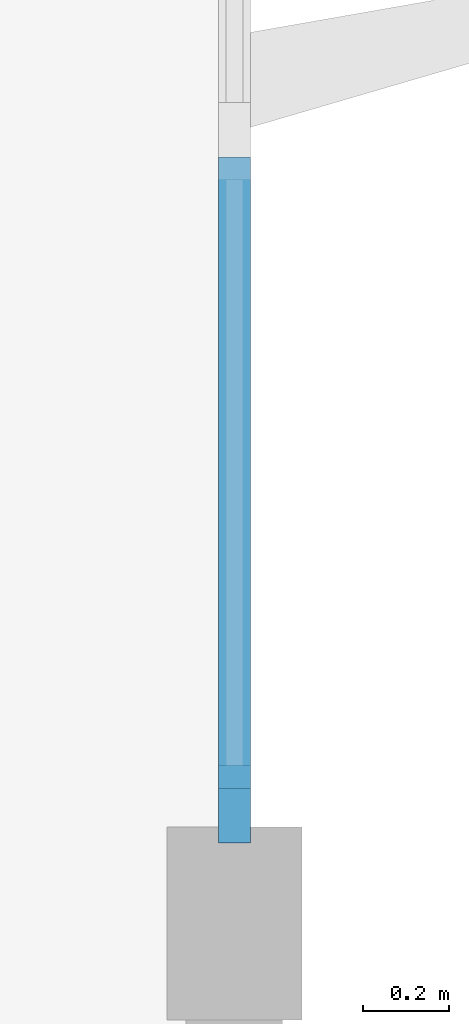
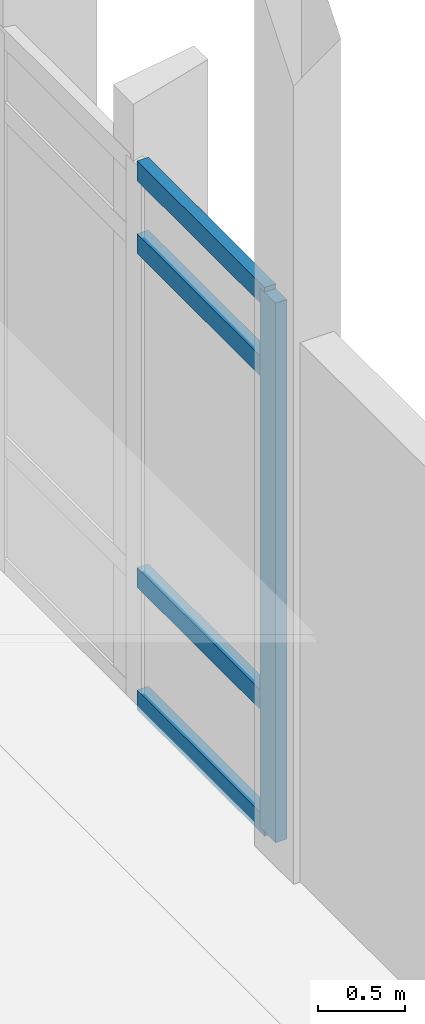
# One storey, part 23 of 61: 5 members, 1 element without a shape of its own.
"""IFC4 building model written with IfcOpenShell, lengths in metres."""

from ifc_helpers import new_model, si_unit, direction, frame, origin, origin_2d, place, context, subcontext, project, spatial, rectangle, extrude, material, layer, layer_set, material_profile, profile_set, type_object, element, aggregate, save


model = new_model("IFC4")

# Units and contexts
model_context = context("Model", 3, precision=1e-05, world=origin(), true_north=direction((0.0, 1.0)))
body_context = subcontext(model_context, "Body", "Model", "MODEL_VIEW")
ifc_project = project(units=[si_unit("LENGTHUNIT", "METRE"), si_unit("AREAUNIT", "SQUARE_METRE"), si_unit("VOLUMEUNIT", "CUBIC_METRE"), si_unit("PLANEANGLEUNIT", "RADIAN"), si_unit("MASSUNIT", "GRAM", prefix="KILO")], contexts=[model_context])

# Site, building, storey
site_placement = place(None, origin())
site = spatial("IfcSite", under=ifc_project, at=site_placement, CompositionType="ELEMENT")
building_placement = place(site_placement, origin())
building = spatial("IfcBuilding", under=site, at=building_placement, Name="Kolvemor Railside Polytechnic", CompositionType="ELEMENT")
storey_placement = place(building_placement, frame((0.0, 0.0, 10.199951171875)))
storey = spatial("IfcBuildingStorey", under=building, at=storey_placement, Name="L02", CompositionType="ELEMENT", Elevation=10.199951171875)

# Curtain wall, members
ifc_material_1 = material(Name="Anodised marine aluminium and laminated low-E glass", Category="aluminium")
ifc_layer = layer(ifc_material_1, 0.179931640625, Name="CW-UNIT-STD")
ifc_layer_set = layer_set([ifc_layer], Name="Anodised marine aluminium and laminated low-E glass")
curtain_wall_type = type_object("IfcCurtainWallType", Name="CW-UNIT-STD", PredefinedType="USERDEFINED", material=ifc_layer_set)
curtain_wall_placement = place(storey_placement, origin())
curtain_wall = element("IfcCurtainWall", 1, at=curtain_wall_placement, inside=storey, type_object=curtain_wall_type, Name="Curtain Wall L02-051", ObjectType="UNITISED CURTAIN WALL", PredefinedType="USERDEFINED")
ifc_material_2 = material(Name="Anodised marine aluminium 6063-T6", Category="aluminium")
ifc_material_profile_1 = material_profile(ifc_material_2, rectangle(XDim=0.074951171875, YDim=0.179931640625, at=origin_2d()), Name="CW-MUL-75x180")
ifc_profile_set_1 = profile_set([ifc_material_profile_1], Name="Anodised marine aluminium 6063-T6")
member_type_1 = type_object("IfcMemberType", Name="CWM-75x180", PredefinedType="MULLION", material=ifc_profile_set_1)
member_1_placement = place(storey_placement, frame((182.39990234375, 30.277587890625, 0.0), z_axis=(0.0, 0.0, 1.0), x_axis=(-1.0, 0.0, 0.0)))
member_1 = element("IfcMember", 2, at=member_1_placement, type_object=member_type_1, Name="CW-STD mullion 1", PredefinedType="MULLION", context=body_context, shape_type="SweptSolid", body=[
    extrude(rectangle(XDim=0.074951171875, YDim=0.179931640625, at=origin_2d()), origin(), (0.0, 0.0, 1.0), 3.800048828125),
])
ifc_material_3 = material(Name="Anodised marine aluminium 6063-T6", Category="aluminium")
ifc_material_profile_2 = material_profile(ifc_material_3, rectangle(XDim=0.074951171875, YDim=0.139892578125, at=origin_2d()), Name="CW-TRN-75x140")
ifc_profile_set_2 = profile_set([ifc_material_profile_2], Name="Anodised marine aluminium 6063-T6")
member_type_2 = type_object("IfcMemberType", Name="CWT-75x140", PredefinedType="USERDEFINED", material=ifc_profile_set_2)
member_2_placement = place(storey_placement, frame((182.39990234375, 30.31494140625, 0.03759765625), z_axis=(0.0, 1.0, 0.0), x_axis=(-1.0, 0.0, 0.0)))
member_2 = element("IfcMember", 3, at=member_2_placement, type_object=member_type_2, Name="CW-STD transom 1.1", ObjectType="TRANSOM", PredefinedType="USERDEFINED", context=body_context, shape_type="SweptSolid", body=[
    extrude(rectangle(XDim=0.074951171875, YDim=0.139892578125, at=origin_2d()), origin(), (0.0, 0.0, 1.0), 1.4716796875),
])
member_3_placement = place(storey_placement, frame((182.39990234375, 30.31494140625, 0.900146484375), z_axis=(0.0, 1.0, 0.0), x_axis=(-1.0, 0.0, 0.0)))
member_3 = element("IfcMember", 4, at=member_3_placement, type_object=member_type_2, Name="CW-STD transom 1.2", ObjectType="TRANSOM", PredefinedType="USERDEFINED", context=body_context, shape_type="SweptSolid", body=[
    extrude(rectangle(XDim=0.074951171875, YDim=0.139892578125, at=origin_2d()), origin(), (0.0, 0.0, 1.0), 1.4716796875),
])
member_4_placement = place(storey_placement, frame((182.39990234375, 30.31494140625, 3.25), z_axis=(0.0, 1.0, 0.0), x_axis=(-1.0, 0.0, 0.0)))
member_4 = element("IfcMember", 5, at=member_4_placement, type_object=member_type_2, Name="CW-STD transom 1.3", ObjectType="TRANSOM", PredefinedType="USERDEFINED", context=body_context, shape_type="SweptSolid", body=[
    extrude(rectangle(XDim=0.074951171875, YDim=0.139892578125, at=origin_2d()), origin(), (0.0, 0.0, 1.0), 1.4716796875),
])
member_5_placement = place(storey_placement, frame((182.39990234375, 30.31494140625, 3.762451171875), z_axis=(0.0, 1.0, 0.0), x_axis=(-1.0, 0.0, 0.0)))
member_5 = element("IfcMember", 6, at=member_5_placement, type_object=member_type_2, Name="CW-STD transom 1.4", ObjectType="TRANSOM", PredefinedType="USERDEFINED", context=body_context, shape_type="SweptSolid", body=[
    extrude(rectangle(XDim=0.074951171875, YDim=0.139892578125, at=origin_2d()), origin(), (0.0, 0.0, 1.0), 1.4716796875),
])
aggregate(curtain_wall, [member_1, member_2, member_3, member_4, member_5])

save(model, "model.ifc")
